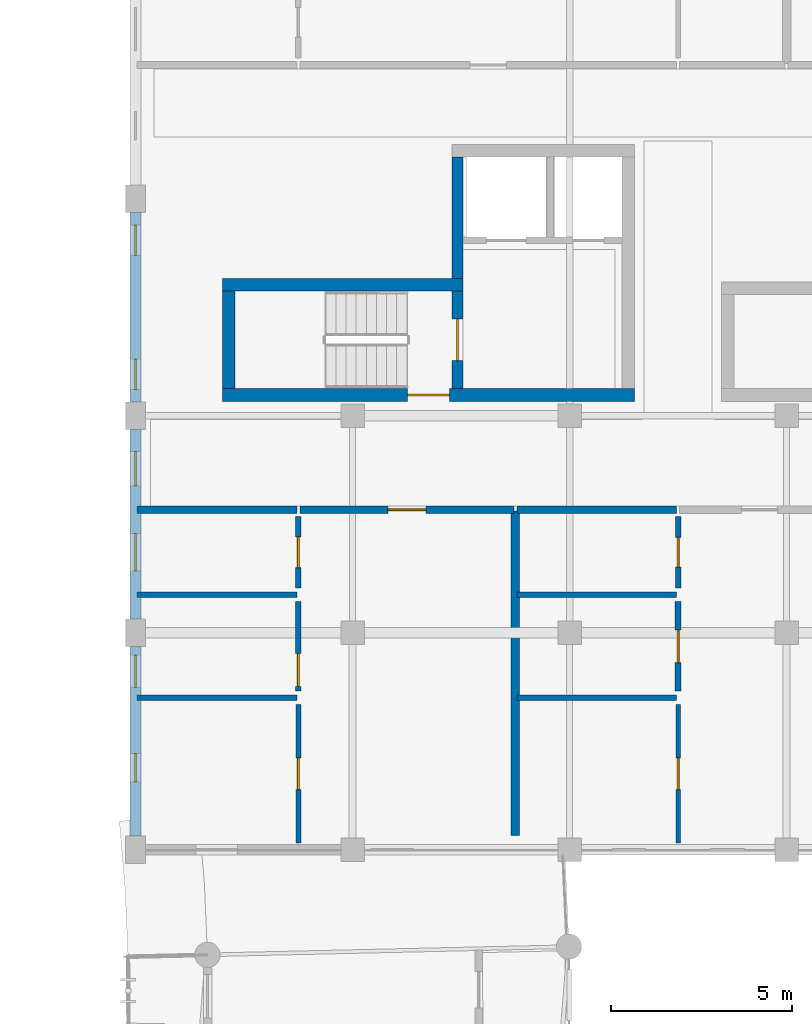
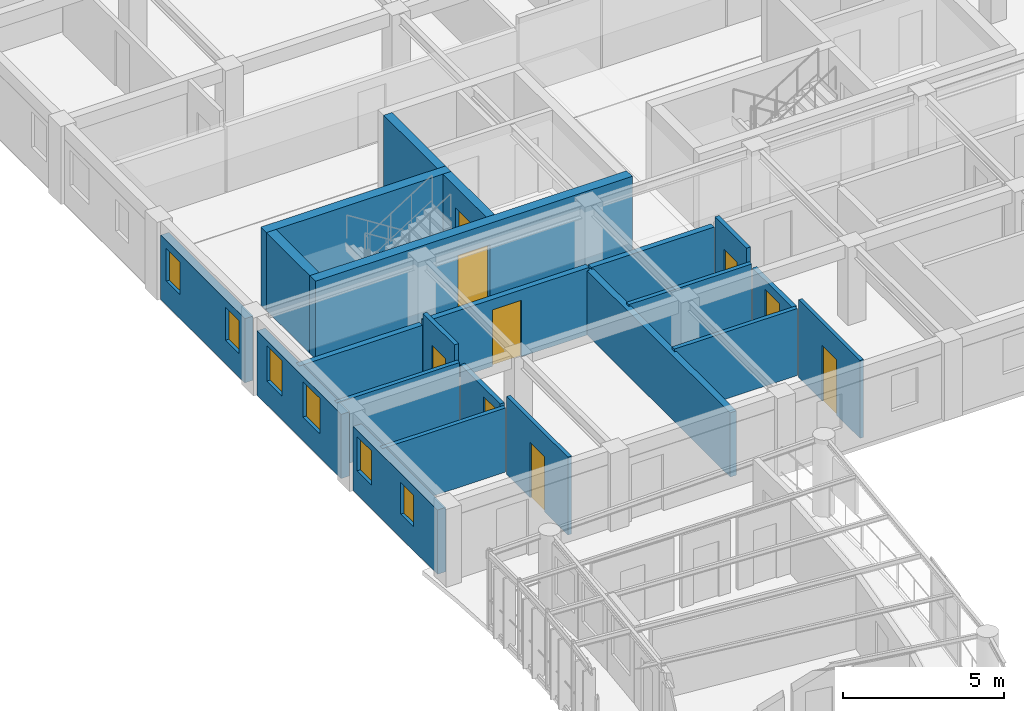
# One storey, part 68 of 100: 22 walls, 9 doors, 6 windows, 15 openings.
"""IFC4 building model written with IfcOpenShell, lengths in metres."""

from ifc_helpers import new_model, si_unit, direction, frame, frame_2d, origin, place, context, subcontext, project, spatial, rectangle, extrude, material, layer, layer_set, type_object, element, fill, save


model = new_model("IFC4")

# Units and contexts
model_context = context("Model", 3, precision=1e-05, world=origin(), true_north=direction((0.0, 1.0)))
body_context = subcontext(model_context, "Body", "Model", "MODEL_VIEW")
ifc_project = project(units=[si_unit("LENGTHUNIT", "METRE"), si_unit("AREAUNIT", "SQUARE_METRE"), si_unit("VOLUMEUNIT", "CUBIC_METRE"), si_unit("PLANEANGLEUNIT", "RADIAN"), si_unit("MASSUNIT", "GRAM", prefix="KILO"), si_unit("POWERUNIT", "WATT"), si_unit("THERMODYNAMICTEMPERATUREUNIT", "KELVIN")], contexts=[model_context])

# Site, building, storey
site_placement = place(None, origin())
site = spatial("IfcSite", under=ifc_project, at=site_placement, CompositionType="ELEMENT")
building_placement = place(site_placement, origin())
building = spatial("IfcBuilding", under=site, at=building_placement, Name="Ruvembo Vaulted Housing Court", CompositionType="ELEMENT")
storey_placement = place(building_placement, frame((0.0, 0.0, 10.89990234375)))
storey = spatial("IfcBuildingStorey", under=building, at=storey_placement, Name="L03", CompositionType="ELEMENT", Elevation=10.89990234375)

# Wall, opening, door
ifc_material_1 = material(Name="Concrete C35/45", Category="concrete")
ifc_layer_1 = layer(ifc_material_1, 0.300048828125, Name="Concrete C35/45")
ifc_layer_set_1 = layer_set([ifc_layer_1], Name="Concrete C35/45")
wall_type_1 = type_object("IfcWallType", Name="WL-CORE-300", PredefinedType="SHEAR", material=ifc_layer_set_1)
wall_1_placement = place(storey_placement, frame((56.89990234375, 90.75, 0.0), z_axis=(0.0, 0.0, 1.0), x_axis=(0.0, 1.0, 0.0)))
wall_1 = element("IfcWall", 1, at=wall_1_placement, inside=storey, type_object=wall_type_1, Name="Core B1 L03 Stair-Lobby Shear Wall", PredefinedType="SHEAR", context=body_context, shape_type="SweptSolid", body=[
    extrude(rectangle(XDim=2.699951171875, YDim=0.300048828125, at=frame_2d((1.35009765625, 0.0))), origin(), (0.0, 0.0, 1.0), 2.960205078125),
])
opening_1_placement = place(wall_1_placement, frame((0.77490234375, 0.0, 0.0)))
opening_1 = element("IfcOpeningElement", 2, at=opening_1_placement, cuts=wall_1, Name="Opening SD1", PredefinedType="OPENING", context=body_context, shape_type="SweptSolid", body=[
    extrude(rectangle(XDim=1.14990234375, YDim=2.14990234375, at=frame_2d((0.574951171875, 1.074951171875))), frame((0.0, 0.159912109375, 0.0), z_axis=(0.0, -1.0, 0.0), x_axis=(1.0, 0.0, 0.0)), (0.0, 0.0, 1.0), 0.320068359375),
])
ifc_material_2 = material(Name="Galvanised Painted Steel", Category="steel")
door_type_1 = type_object("IfcDoorType", Name="DR-STAIR-1150x2150", OperationType="NOTDEFINED", PredefinedType="DOOR", material=ifc_material_2)
door_1_placement = place(opening_1_placement, origin())
door_1 = element("IfcDoor", 3, at=door_1_placement, inside=storey, type_object=door_type_1, Name="Stair ST-B1 L03 Fire Door", OperationType="SINGLE_SWING_RIGHT", OverallHeight=2.14990234375, OverallWidth=1.14990234375, PredefinedType="DOOR", context=body_context, shape_type="SweptSolid", body=[
    extrude(rectangle(XDim=1.14990234375, YDim=2.14990234375, at=frame_2d((0.574951171875, 1.074951171875))), frame((0.0, 0.02490234375, 0.0), z_axis=(0.0, -1.0, 0.0), x_axis=(1.0, 0.0, 0.0)), (0.0, 0.0, 1.0), 0.050048828125),
])
fill(opening_1, door_1)

# Wall
wall_2_placement = place(storey_placement, frame((56.89990234375, 93.800048828125, 0.0), z_axis=(0.0, 0.0, 1.0), x_axis=(0.0, 1.0, 0.0)))
element("IfcWall", 4, at=wall_2_placement, inside=storey, type_object=wall_type_1, Name="Core B1 L03 Upper West Shear Wall", PredefinedType="SHEAR", context=body_context, shape_type="SweptSolid", body=[
    extrude(rectangle(XDim=3.349853515625, YDim=0.300048828125, at=frame_2d((1.6748046875, 0.0))), origin(), (0.0, 0.0, 1.0), 2.960205078125),
])

# Wall, opening, door
ifc_layer_2 = layer(ifc_material_1, 0.35009765625, Name="Concrete C35/45")
ifc_layer_set_2 = layer_set([ifc_layer_2], Name="Concrete C35/45")
wall_type_2 = type_object("IfcWallType", Name="WL-CORE-350", PredefinedType="SHEAR", material=ifc_layer_set_2)
wall_3_placement = place(storey_placement, frame((50.39990234375, 90.574951171875, 0.0), z_axis=(0.0, 0.0, 1.0), x_axis=(1.0, 0.0, 0.0)))
wall_3 = element("IfcWall", 5, at=wall_3_placement, inside=storey, type_object=wall_type_2, Name="Core B1 L03 South Shear Wall", PredefinedType="SHEAR", context=body_context, shape_type="SweptSolid", body=[
    extrude(rectangle(XDim=11.400146484375, YDim=0.35009765625, at=frame_2d((5.7001953125, 0.0))), origin(), (0.0, 0.0, 1.0), 2.960205078125),
])
opening_2_placement = place(wall_3_placement, frame((5.125, 0.0, 0.0)))
opening_2 = element("IfcOpeningElement", 6, at=opening_2_placement, cuts=wall_3, Name="Opening LD0", PredefinedType="OPENING", context=body_context, shape_type="SweptSolid", body=[
    extrude(rectangle(XDim=1.14990234375, YDim=2.14990234375, at=frame_2d((0.574951171875, 1.074951171875))), frame((0.0, 0.18505859375, 0.0), z_axis=(0.0, -1.0, 0.0), x_axis=(1.0, 0.0, 0.0)), (0.0, 0.0, 1.0), 0.3701171875),
])
door_type_2 = type_object("IfcDoorType", Name="DR-LOB-1150x2150", OperationType="NOTDEFINED", PredefinedType="DOOR", material=ifc_material_2)
door_2_placement = place(opening_2_placement, origin())
door_2 = element("IfcDoor", 7, at=door_2_placement, inside=storey, type_object=door_type_2, Name="Core B1 L03 Lobby Fire Door", OperationType="SINGLE_SWING_LEFT", OverallHeight=2.14990234375, OverallWidth=1.14990234375, PredefinedType="DOOR", context=body_context, shape_type="SweptSolid", body=[
    extrude(rectangle(XDim=1.14990234375, YDim=2.14990234375, at=frame_2d((0.574951171875, 1.074951171875))), frame((0.0, 0.02490234375, 0.0), z_axis=(0.0, -1.0, 0.0), x_axis=(1.0, 0.0, 0.0)), (0.0, 0.0, 1.0), 0.050048828125),
])
fill(opening_2, door_2)

# Walls
wall_4_placement = place(storey_placement, frame((57.050048828125, 93.625, 0.0), z_axis=(0.0, 0.0, 1.0), x_axis=(-1.0, 0.0, 0.0)))
element("IfcWall", 8, at=wall_4_placement, inside=storey, type_object=wall_type_2, Name="Core B1 L03 Stair North Shear Wall", PredefinedType="SHEAR", context=body_context, shape_type="SweptSolid", body=[
    extrude(rectangle(XDim=6.650146484375, YDim=0.35009765625, at=frame_2d((3.3251953125, 0.0))), origin(), (0.0, 0.0, 1.0), 2.960205078125),
])
wall_5_placement = place(storey_placement, frame((50.574951171875, 93.449951171875, 0.0), z_axis=(0.0, 0.0, 1.0), x_axis=(0.0, -1.0, 0.0)))
element("IfcWall", 9, at=wall_5_placement, inside=storey, type_object=wall_type_2, Name="Core B1 L03 Stair West Shear Wall", PredefinedType="SHEAR", context=body_context, shape_type="SweptSolid", body=[
    extrude(rectangle(XDim=2.699951171875, YDim=0.35009765625, at=frame_2d((1.35009765625, 0.0))), origin(), (0.0, 0.0, 1.0), 2.960205078125),
])
ifc_material_3 = material(Name="Concrete Blockwork 200", Category="masonry")
ifc_layer_3 = layer(ifc_material_3, 0.199951171875, Name="Concrete Blockwork 200")
ifc_layer_set_3 = layer_set([ifc_layer_3], Name="Concrete Blockwork 200")
wall_type_3 = type_object("IfcWallType", Name="WL-CORR-200", PredefinedType="SOLIDWALL", material=ifc_layer_set_3)
wall_6_placement = place(storey_placement, frame((48.0400390625, 87.39990234375, 0.0), z_axis=(0.0, 0.0, 1.0), x_axis=(1.0, 0.0, 0.0)))
element("IfcWall", 10, at=wall_6_placement, inside=storey, type_object=wall_type_3, Name="L03 Flat B-L03-S1 Corridor Wall WL-INT-L03-00826", PredefinedType="SOLIDWALL", context=body_context, shape_type="SweptSolid", body=[
    extrude(rectangle(XDim=4.419921875, YDim=0.199951171875, at=frame_2d((2.2099609375, 0.0))), origin(), (0.0, 0.0, 1.0), 2.442138671875),
])

# Wall, opening, door
wall_7_placement = place(storey_placement, frame((52.5400390625, 87.39990234375, 0.0), z_axis=(0.0, 0.0, 1.0), x_axis=(1.0, 0.0, 0.0)))
wall_7 = element("IfcWall", 11, at=wall_7_placement, inside=storey, type_object=wall_type_3, Name="L03 Flat B-L03-S1 Entrance WL-INT-L03-00827", PredefinedType="SOLIDWALL", context=body_context, shape_type="SweptSolid", body=[
    extrude(rectangle(XDim=5.919921875, YDim=0.199951171875, at=frame_2d((2.9599609375, 0.0))), origin(), (0.0, 0.0, 1.0), 2.548095703125),
])
opening_3_placement = place(wall_7_placement, frame((2.43505859375, 0.0, 0.0)))
opening_3 = element("IfcOpeningElement", 12, at=opening_3_placement, cuts=wall_7, Name="Opening FD3", PredefinedType="OPENING", context=body_context, shape_type="SweptSolid", body=[
    extrude(rectangle(XDim=1.050048828125, YDim=2.14990234375, at=frame_2d((0.52490234375, 1.074951171875))), frame((0.0, 0.10986328125, 0.0), z_axis=(0.0, -1.0, 0.0), x_axis=(1.0, 0.0, 0.0)), (0.0, 0.0, 1.0), 0.219970703125),
])
ifc_material_4 = material(Name="FSC Hardwood and Engineered Timber", Category="wood")
door_type_3 = type_object("IfcDoorType", Name="DR-FLAT-1050x2150", OperationType="NOTDEFINED", PredefinedType="DOOR", material=ifc_material_4)
door_3_placement = place(opening_3_placement, origin())
door_3 = element("IfcDoor", 13, at=door_3_placement, inside=storey, type_object=door_type_3, Name="L03 Flat B-L03-S1 Entrance Door DR-INT-L03-00458", OperationType="SINGLE_SWING_RIGHT", OverallHeight=2.14990234375, OverallWidth=1.050048828125, PredefinedType="DOOR", context=body_context, shape_type="SweptSolid", body=[
    extrude(rectangle(XDim=1.050048828125, YDim=2.14990234375, at=frame_2d((0.52490234375, 1.074951171875))), frame((0.0, 0.02490234375, 0.0), z_axis=(0.0, -1.0, 0.0), x_axis=(1.0, 0.0, 0.0)), (0.0, 0.0, 1.0), 0.050048828125),
])
fill(opening_3, door_3)

# Walls
wall_8_placement = place(storey_placement, frame((58.5400390625, 87.39990234375, 0.0), z_axis=(0.0, 0.0, 1.0), x_axis=(1.0, 0.0, 0.0)))
element("IfcWall", 14, at=wall_8_placement, inside=storey, type_object=wall_type_3, Name="L03 Flat B-L03-S2 Corridor Wall WL-INT-L03-00834", PredefinedType="SOLIDWALL", context=body_context, shape_type="SweptSolid", body=[
    extrude(rectangle(XDim=4.419921875, YDim=0.199951171875, at=frame_2d((2.2099609375, 0.0))), origin(), (0.0, 0.0, 1.0), 2.508056640625),
])
ifc_material_5 = material(Name="Acoustic Masonry Demising 230", Category="masonry")
ifc_layer_4 = layer(ifc_material_5, 0.22998046875, Name="Acoustic Masonry Demising 230")
ifc_layer_set_4 = layer_set([ifc_layer_4], Name="Acoustic Masonry Demising 230")
wall_type_4 = type_object("IfcWallType", Name="WL-DEM-230", PredefinedType="SOLIDWALL", material=ifc_layer_set_4)
wall_9_placement = place(storey_placement, frame((58.5, 78.389892578125, 0.0), z_axis=(0.0, 0.0, 1.0), x_axis=(0.0, 1.0, 0.0)))
element("IfcWall", 15, at=wall_9_placement, inside=storey, type_object=wall_type_4, Name="L03 Demising B-L03-S1 WL-INT-L03-00825", PredefinedType="SOLIDWALL", context=body_context, shape_type="SweptSolid", body=[
    extrude(rectangle(XDim=8.97021484375, YDim=0.22998046875, at=frame_2d((4.485107421875, 0.0))), origin(), (0.0, 0.0, 1.0), 2.442138671875),
])

# Wall, openings, windows
ifc_material_6 = material(Name="Rendered Masonry 300", Category="masonry")
ifc_layer_5 = layer(ifc_material_6, 0.300048828125, Name="Rendered Masonry 300")
ifc_layer_set_5 = layer_set([ifc_layer_5], Name="Rendered Masonry 300")
wall_type_5 = type_object("IfcWallType", Name="WL-EXT-300", PredefinedType="STANDARD", material=ifc_layer_set_5)
wall_10_placement = place(storey_placement, frame((48.0, 95.625, 0.0), z_axis=(0.0, 0.0, 1.0), x_axis=(0.0, -1.0, 0.0)))
wall_10 = element("IfcWall", 16, at=wall_10_placement, inside=storey, type_object=wall_type_5, Name="Block B L03 Exterior Wall WEST #4", PredefinedType="STANDARD", context=body_context, shape_type="SweptSolid", body=[
    extrude(rectangle(XDim=5.25, YDim=0.300048828125, at=frame_2d((2.625, 0.0))), origin(), (0.0, 0.0, 1.0), 2.442138671875),
])
opening_4_placement = place(wall_10_placement, frame((0.35009765625, 0.0, 0.89990234375)))
opening_4 = element("IfcOpeningElement", 17, at=opening_4_placement, cuts=wall_10, Name="Opening W03", PredefinedType="OPENING", context=body_context, shape_type="SweptSolid", body=[
    extrude(rectangle(XDim=0.85009765625, YDim=1.25, at=frame_2d((0.425048828125, 0.625))), frame((0.0, 0.159912109375, 0.0), z_axis=(0.0, -1.0, 0.0), x_axis=(1.0, 0.0, 0.0)), (0.0, 0.0, 1.0), 0.320068359375),
])
opening_5_placement = place(wall_10_placement, frame((4.050048828125, 0.0, 0.89990234375)))
opening_5 = element("IfcOpeningElement", 18, at=opening_5_placement, cuts=wall_10, Name="Opening W03", PredefinedType="OPENING", context=body_context, shape_type="SweptSolid", body=[
    extrude(rectangle(XDim=0.85009765625, YDim=1.25, at=frame_2d((0.425048828125, 0.625))), frame((0.0, 0.159912109375, 0.0), z_axis=(0.0, -1.0, 0.0), x_axis=(1.0, 0.0, 0.0)), (0.0, 0.0, 1.0), 0.320068359375),
])
ifc_material_7 = material(Name="Double Solar-Control Glazing in Aluminium Frame", Category="aluminium")
window_type_1 = type_object("IfcWindowType", Name="WIN-0850x1250", PartitioningType="SINGLE_PANEL", PredefinedType="WINDOW", material=ifc_material_7)
window_1_placement = place(opening_4_placement, origin())
window_1 = element("IfcWindow", 19, at=window_1_placement, inside=storey, type_object=window_type_1, Name="Block B L03 Window #763", OverallHeight=1.25, OverallWidth=0.85009765625, PartitioningType="SINGLE_PANEL", PredefinedType="WINDOW", context=body_context, shape_type="SweptSolid", body=[
    extrude(rectangle(XDim=0.85009765625, YDim=1.25, at=frame_2d((0.425048828125, 0.625))), frame((0.0, 0.030029296875, 0.0), z_axis=(0.0, -1.0, 0.0), x_axis=(1.0, 0.0, 0.0)), (0.0, 0.0, 1.0), 0.06005859375),
])
fill(opening_4, window_1)
window_2_placement = place(opening_5_placement, origin())
window_2 = element("IfcWindow", 20, at=window_2_placement, inside=storey, type_object=window_type_1, Name="Block B L03 Window #764", OverallHeight=1.25, OverallWidth=0.85009765625, PartitioningType="SINGLE_PANEL", PredefinedType="WINDOW", context=body_context, shape_type="SweptSolid", body=[
    extrude(rectangle(XDim=0.85009765625, YDim=1.25, at=frame_2d((0.425048828125, 0.625))), frame((0.0, 0.030029296875, 0.0), z_axis=(0.0, -1.0, 0.0), x_axis=(1.0, 0.0, 0.0)), (0.0, 0.0, 1.0), 0.06005859375),
])
fill(opening_5, window_2)

wall_11_placement = place(storey_placement, frame((48.0, 89.625, 0.0), z_axis=(0.0, 0.0, 1.0), x_axis=(0.0, -1.0, 0.0)))
wall_11 = element("IfcWall", 21, at=wall_11_placement, inside=storey, type_object=wall_type_5, Name="Block B L03 Exterior Wall WEST #5", PredefinedType="STANDARD", context=body_context, shape_type="SweptSolid", body=[
    extrude(rectangle(XDim=5.25, YDim=0.300048828125, at=frame_2d((2.625, 0.0))), origin(), (0.0, 0.0, 1.0), 2.442138671875),
])
opening_6_placement = place(wall_11_placement, frame((0.617431640625, 0.0, 0.89990234375)))
opening_6 = element("IfcOpeningElement", 22, at=opening_6_placement, cuts=wall_11, Name="Opening W07", PredefinedType="OPENING", context=body_context, shape_type="SweptSolid", body=[
    extrude(rectangle(XDim=0.949951171875, YDim=1.35009765625, at=frame_2d((0.47509765625, 0.675048828125))), frame((0.0, 0.159912109375, 0.0), z_axis=(0.0, -1.0, 0.0), x_axis=(1.0, 0.0, 0.0)), (0.0, 0.0, 1.0), 0.320068359375),
])
opening_7_placement = place(wall_11_placement, frame((2.875, 0.0, 0.89990234375)))
opening_7 = element("IfcOpeningElement", 23, at=opening_7_placement, cuts=wall_11, Name="Opening W09", PredefinedType="OPENING", context=body_context, shape_type="SweptSolid", body=[
    extrude(rectangle(XDim=1.050048828125, YDim=1.35009765625, at=frame_2d((0.52490234375, 0.675048828125))), frame((0.0, 0.159912109375, 0.0), z_axis=(0.0, -1.0, 0.0), x_axis=(1.0, 0.0, 0.0)), (0.0, 0.0, 1.0), 0.320068359375),
])
window_type_2 = type_object("IfcWindowType", Name="WIN-0950x1350", PartitioningType="SINGLE_PANEL", PredefinedType="WINDOW", material=ifc_material_7)
window_3_placement = place(opening_6_placement, origin())
window_3 = element("IfcWindow", 24, at=window_3_placement, inside=storey, type_object=window_type_2, Name="Block B L03 Window #765", OverallHeight=1.35009765625, OverallWidth=0.949951171875, PartitioningType="SINGLE_PANEL", PredefinedType="WINDOW", context=body_context, shape_type="SweptSolid", body=[
    extrude(rectangle(XDim=0.949951171875, YDim=1.35009765625, at=frame_2d((0.47509765625, 0.675048828125))), frame((0.0, 0.030029296875, 0.0), z_axis=(0.0, -1.0, 0.0), x_axis=(1.0, 0.0, 0.0)), (0.0, 0.0, 1.0), 0.06005859375),
])
fill(opening_6, window_3)
window_type_3 = type_object("IfcWindowType", Name="WIN-1050x1350", PartitioningType="SINGLE_PANEL", PredefinedType="WINDOW", material=ifc_material_7)
window_4_placement = place(opening_7_placement, origin())
window_4 = element("IfcWindow", 25, at=window_4_placement, inside=storey, type_object=window_type_3, Name="Block B L03 Window #766", OverallHeight=1.35009765625, OverallWidth=1.050048828125, PartitioningType="SINGLE_PANEL", PredefinedType="WINDOW", context=body_context, shape_type="SweptSolid", body=[
    extrude(rectangle(XDim=1.050048828125, YDim=1.35009765625, at=frame_2d((0.52490234375, 0.675048828125))), frame((0.0, 0.030029296875, 0.0), z_axis=(0.0, -1.0, 0.0), x_axis=(1.0, 0.0, 0.0)), (0.0, 0.0, 1.0), 0.06005859375),
])
fill(opening_7, window_4)

wall_12_placement = place(storey_placement, frame((48.0, 83.625, 0.0), z_axis=(0.0, 0.0, 1.0), x_axis=(0.0, -1.0, 0.0)))
wall_12 = element("IfcWall", 26, at=wall_12_placement, inside=storey, type_object=wall_type_5, Name="Block B L03 Exterior Wall WEST #6", PredefinedType="STANDARD", context=body_context, shape_type="SweptSolid", body=[
    extrude(rectangle(XDim=5.25, YDim=0.300048828125, at=frame_2d((2.625, 0.0))), origin(), (0.0, 0.0, 1.0), 2.442138671875),
])
opening_8_placement = place(wall_12_placement, frame((0.242431640625, 0.0, 0.89990234375)))
opening_8 = element("IfcOpeningElement", 27, at=opening_8_placement, cuts=wall_12, Name="Opening W04", PredefinedType="OPENING", context=body_context, shape_type="SweptSolid", body=[
    extrude(rectangle(XDim=0.89990234375, YDim=1.300048828125, at=frame_2d((0.449951171875, 0.64990234375))), frame((0.0, 0.159912109375, 0.0), z_axis=(0.0, -1.0, 0.0), x_axis=(1.0, 0.0, 0.0)), (0.0, 0.0, 1.0), 0.320068359375),
])
opening_9_placement = place(wall_12_placement, frame((2.95751953125, 0.0, 0.89990234375)))
opening_9 = element("IfcOpeningElement", 28, at=opening_9_placement, cuts=wall_12, Name="Opening W02", PredefinedType="OPENING", context=body_context, shape_type="SweptSolid", body=[
    extrude(rectangle(XDim=0.800048828125, YDim=1.199951171875, at=frame_2d((0.39990234375, 0.60009765625))), frame((0.0, 0.159912109375, 0.0), z_axis=(0.0, -1.0, 0.0), x_axis=(1.0, 0.0, 0.0)), (0.0, 0.0, 1.0), 0.320068359375),
])
window_type_4 = type_object("IfcWindowType", Name="WIN-0800x1200", PartitioningType="SINGLE_PANEL", PredefinedType="WINDOW", material=ifc_material_7)
window_5_placement = place(opening_9_placement, origin())
window_5 = element("IfcWindow", 29, at=window_5_placement, inside=storey, type_object=window_type_4, Name="Block B L03 Window #768", OverallHeight=1.199951171875, OverallWidth=0.800048828125, PartitioningType="SINGLE_PANEL", PredefinedType="WINDOW", context=body_context, shape_type="SweptSolid", body=[
    extrude(rectangle(XDim=0.800048828125, YDim=1.199951171875, at=frame_2d((0.39990234375, 0.60009765625))), frame((0.0, 0.030029296875, 0.0), z_axis=(0.0, -1.0, 0.0), x_axis=(1.0, 0.0, 0.0)), (0.0, 0.0, 1.0), 0.06005859375),
])
fill(opening_9, window_5)
window_type_5 = type_object("IfcWindowType", Name="WIN-0900x1300", PartitioningType="SINGLE_PANEL", PredefinedType="WINDOW", material=ifc_material_7)
window_6_placement = place(opening_8_placement, origin())
window_6 = element("IfcWindow", 30, at=window_6_placement, inside=storey, type_object=window_type_5, Name="Block B L03 Window #767", OverallHeight=1.300048828125, OverallWidth=0.89990234375, PartitioningType="SINGLE_PANEL", PredefinedType="WINDOW", context=body_context, shape_type="SweptSolid", body=[
    extrude(rectangle(XDim=0.89990234375, YDim=1.300048828125, at=frame_2d((0.449951171875, 0.64990234375))), frame((0.0, 0.030029296875, 0.0), z_axis=(0.0, -1.0, 0.0), x_axis=(1.0, 0.0, 0.0)), (0.0, 0.0, 1.0), 0.06005859375),
])
fill(opening_8, window_6)

# Wall, opening, door
ifc_material_8 = material(Name="Plasterboard Stud Partition 125", Category="gypsum")
ifc_layer_6 = layer(ifc_material_8, 0.125, Name="Plasterboard Stud Partition 125")
ifc_layer_set_6 = layer_set([ifc_layer_6], Name="Plasterboard Stud Partition 125")
wall_type_6 = type_object("IfcWallType", Name="WL-PART-125", PredefinedType="PARTITIONING", material=ifc_layer_set_6)
wall_13_placement = place(storey_placement, frame((63.0, 78.18994140625, 0.0), z_axis=(0.0, 0.0, 1.0), x_axis=(0.0, 1.0, 0.0)))
wall_13 = element("IfcWall", 31, at=wall_13_placement, inside=storey, type_object=wall_type_6, Name="L03 Flat B-L03-S2 Bedroom 1 WL-INT-L03-00836", PredefinedType="PARTITIONING", context=body_context, shape_type="SweptSolid", body=[
    extrude(rectangle(XDim=3.820068359375, YDim=0.125, at=frame_2d((1.91015625, 0.0))), origin(), (0.0, 0.0, 1.0), 2.960205078125),
])
opening_10_placement = place(wall_13_placement, frame((1.469970703125, 0.0, 0.0)))
opening_10 = element("IfcOpeningElement", 32, at=opening_10_placement, cuts=wall_13, Name="Opening ID3", PredefinedType="OPENING", context=body_context, shape_type="SweptSolid", body=[
    extrude(rectangle(XDim=0.8798828125, YDim=2.10009765625, at=frame_2d((0.43994140625, 1.050048828125))), frame((0.0, 0.072509765625, 0.0), z_axis=(0.0, -1.0, 0.0), x_axis=(1.0, 0.0, 0.0)), (0.0, 0.0, 1.0), 0.14501953125),
])
door_type_4 = type_object("IfcDoorType", Name="DR-ROOM-0880x2100", OperationType="NOTDEFINED", PredefinedType="DOOR", material=ifc_material_4)
door_4_placement = place(opening_10_placement, origin())
door_4 = element("IfcDoor", 33, at=door_4_placement, inside=storey, type_object=door_type_4, Name="L03 Flat B-L03-S2 Bedroom 1 Door DR-INT-L03-00463", OperationType="SINGLE_SWING_LEFT", OverallHeight=2.10009765625, OverallWidth=0.8798828125, PredefinedType="DOOR", context=body_context, shape_type="SweptSolid", body=[
    extrude(rectangle(XDim=0.8798828125, YDim=2.10009765625, at=frame_2d((0.43994140625, 1.050048828125))), frame((0.0, 0.02490234375, 0.0), z_axis=(0.0, -1.0, 0.0), x_axis=(1.0, 0.0, 0.0)), (0.0, 0.0, 1.0), 0.050048828125),
])
fill(opening_10, door_4)

ifc_material_9 = material(Name="Acoustic Stud Partition 135", Category="gypsum")
ifc_layer_7 = layer(ifc_material_9, 0.135009765625, Name="Acoustic Stud Partition 135")
ifc_layer_set_7 = layer_set([ifc_layer_7], Name="Acoustic Stud Partition 135")
wall_type_7 = type_object("IfcWallType", Name="WL-PART-135", PredefinedType="PARTITIONING", material=ifc_layer_set_7)
wall_14_placement = place(storey_placement, frame((52.5, 78.18994140625, 0.0), z_axis=(0.0, 0.0, 1.0), x_axis=(0.0, 1.0, 0.0)))
wall_14 = element("IfcWall", 34, at=wall_14_placement, inside=storey, type_object=wall_type_7, Name="L03 Flat B-L03-S1 Bedroom 1 WL-INT-L03-00828", PredefinedType="PARTITIONING", context=body_context, shape_type="SweptSolid", body=[
    extrude(rectangle(XDim=3.820068359375, YDim=0.135009765625, at=frame_2d((1.91015625, 0.0))), origin(), (0.0, 0.0, 1.0), 2.960205078125),
])
opening_11_placement = place(wall_14_placement, frame((1.469970703125, 0.0, 0.0)))
opening_11 = element("IfcOpeningElement", 35, at=opening_11_placement, cuts=wall_14, Name="Opening ID3", PredefinedType="OPENING", context=body_context, shape_type="SweptSolid", body=[
    extrude(rectangle(XDim=0.8798828125, YDim=2.10009765625, at=frame_2d((0.43994140625, 1.050048828125))), frame((0.0, 0.077392578125, 0.0), z_axis=(0.0, -1.0, 0.0), x_axis=(1.0, 0.0, 0.0)), (0.0, 0.0, 1.0), 0.155029296875),
])
door_5_placement = place(opening_11_placement, origin())
door_5 = element("IfcDoor", 36, at=door_5_placement, inside=storey, type_object=door_type_4, Name="L03 Flat B-L03-S1 Bedroom 1 Door DR-INT-L03-00459", OperationType="SINGLE_SWING_LEFT", OverallHeight=2.10009765625, OverallWidth=0.8798828125, PredefinedType="DOOR", context=body_context, shape_type="SweptSolid", body=[
    extrude(rectangle(XDim=0.8798828125, YDim=2.10009765625, at=frame_2d((0.43994140625, 1.050048828125))), frame((0.0, 0.02490234375, 0.0), z_axis=(0.0, -1.0, 0.0), x_axis=(1.0, 0.0, 0.0)), (0.0, 0.0, 1.0), 0.050048828125),
])
fill(opening_11, door_5)

ifc_material_10 = material(Name="Moisture-Resistant Wet Partition 150", Category="gypsum")
ifc_layer_8 = layer(ifc_material_10, 0.14990234375, Name="Moisture-Resistant Wet Partition 150")
ifc_layer_set_8 = layer_set([ifc_layer_8], Name="Moisture-Resistant Wet Partition 150")
wall_type_8 = type_object("IfcWallType", Name="WL-PART-150", PredefinedType="PARTITIONING", material=ifc_layer_set_8)
wall_15_placement = place(storey_placement, frame((52.5, 85.239990234375, 0.0), z_axis=(0.0, 0.0, 1.0), x_axis=(0.0, 1.0, 0.0)))
wall_15 = element("IfcWall", 37, at=wall_15_placement, inside=storey, type_object=wall_type_8, Name="L03 Flat B-L03-S1 Bathroom WL-INT-L03-00830", PredefinedType="PARTITIONING", context=body_context, shape_type="SweptSolid", body=[
    extrude(rectangle(XDim=1.969970703125, YDim=0.14990234375, at=frame_2d((0.98486328125, 0.0))), origin(), (0.0, 0.0, 1.0), 2.960205078125),
])
opening_12_placement = place(wall_15_placement, frame((0.56005859375, 0.0, 0.0)))
opening_12 = element("IfcOpeningElement", 38, at=opening_12_placement, cuts=wall_15, Name="Opening ID2", PredefinedType="OPENING", context=body_context, shape_type="SweptSolid", body=[
    extrude(rectangle(XDim=0.85009765625, YDim=2.10009765625, at=frame_2d((0.425048828125, 1.050048828125))), frame((0.0, 0.0849609375, 0.0), z_axis=(0.0, -1.0, 0.0), x_axis=(1.0, 0.0, 0.0)), (0.0, 0.0, 1.0), 0.169921875),
])
door_type_5 = type_object("IfcDoorType", Name="DR-WET-0850x2100", OperationType="NOTDEFINED", PredefinedType="DOOR", material=ifc_material_4)
door_6_placement = place(opening_12_placement, origin())
door_6 = element("IfcDoor", 39, at=door_6_placement, inside=storey, type_object=door_type_5, Name="L03 Flat B-L03-S1 Bathroom Door DR-INT-L03-00461", OperationType="SINGLE_SWING_LEFT", OverallHeight=2.10009765625, OverallWidth=0.85009765625, PredefinedType="DOOR", context=body_context, shape_type="SweptSolid", body=[
    extrude(rectangle(XDim=0.85009765625, YDim=2.10009765625, at=frame_2d((0.425048828125, 1.050048828125))), frame((0.0, 0.02490234375, 0.0), z_axis=(0.0, -1.0, 0.0), x_axis=(1.0, 0.0, 0.0)), (0.0, 0.0, 1.0), 0.050048828125),
])
fill(opening_12, door_6)

# Walls
for number, where, z_axis, x_axis, name in (
    (40, (48.0400390625, 82.199951171875, 0.0), (0.0, 0.0, 1.0), (1.0, 0.0, 0.0), "L03 Flat B-L03-S1 Wet Wall 1 WL-INT-L03-00831"),
    (41, (48.0400390625, 85.050048828125, 0.0), (0.0, 0.0, 1.0), (1.0, 0.0, 0.0), "L03 Flat B-L03-S1 Wet Wall 2 WL-INT-L03-00832"),
):
    element("IfcWall", number, at=place(storey_placement, frame(where, z_axis=z_axis, x_axis=x_axis)), inside=storey, type_object=wall_type_8, Name=name, PredefinedType="PARTITIONING", context=body_context, shape_type="SweptSolid", body=[
        extrude(rectangle(XDim=4.419921875, YDim=0.14990234375, at=frame_2d((2.2099609375, 0.0))), origin(), (0.0, 0.0, 1.0), 2.442138671875),
    ])

# Wall, opening, door
wall_16_placement = place(storey_placement, frame((63.0, 85.239990234375, 0.0), z_axis=(0.0, 0.0, 1.0), x_axis=(0.0, 1.0, 0.0)))
wall_16 = element("IfcWall", 42, at=wall_16_placement, inside=storey, type_object=wall_type_8, Name="L03 Flat B-L03-S2 Bathroom WL-INT-L03-00838", PredefinedType="PARTITIONING", context=body_context, shape_type="SweptSolid", body=[
    extrude(rectangle(XDim=1.969970703125, YDim=0.14990234375, at=frame_2d((0.98486328125, 0.0))), origin(), (0.0, 0.0, 1.0), 2.960205078125),
])
opening_13_placement = place(wall_16_placement, frame((0.574951171875, 0.0, 0.0)))
opening_13 = element("IfcOpeningElement", 43, at=opening_13_placement, cuts=wall_16, Name="Opening ID4", PredefinedType="OPENING", context=body_context, shape_type="SweptSolid", body=[
    extrude(rectangle(XDim=0.820068359375, YDim=2.080078125, at=frame_2d((0.41015625, 1.0400390625))), frame((0.0, 0.0849609375, 0.0), z_axis=(0.0, -1.0, 0.0), x_axis=(1.0, 0.0, 0.0)), (0.0, 0.0, 1.0), 0.169921875),
])
door_type_6 = type_object("IfcDoorType", Name="DR-WET-0820x2080", OperationType="NOTDEFINED", PredefinedType="DOOR", material=ifc_material_4)
door_7_placement = place(opening_13_placement, origin())
door_7 = element("IfcDoor", 44, at=door_7_placement, inside=storey, type_object=door_type_6, Name="L03 Flat B-L03-S2 Bathroom Door DR-INT-L03-00465", OperationType="SINGLE_SWING_LEFT", OverallHeight=2.080078125, OverallWidth=0.820068359375, PredefinedType="DOOR", context=body_context, shape_type="SweptSolid", body=[
    extrude(rectangle(XDim=0.820068359375, YDim=2.080078125, at=frame_2d((0.41015625, 1.0400390625))), frame((0.0, 0.02490234375, 0.0), z_axis=(0.0, -1.0, 0.0), x_axis=(1.0, 0.0, 0.0)), (0.0, 0.0, 1.0), 0.050048828125),
])
fill(opening_13, door_7)

# Walls
wall_17_placement = place(storey_placement, frame((58.5400390625, 82.199951171875, 0.0), z_axis=(0.0, 0.0, 1.0), x_axis=(1.0, 0.0, 0.0)))
element("IfcWall", 45, at=wall_17_placement, inside=storey, type_object=wall_type_8, Name="L03 Flat B-L03-S2 Wet Wall 1 WL-INT-L03-00839", PredefinedType="PARTITIONING", context=body_context, shape_type="SweptSolid", body=[
    extrude(rectangle(XDim=4.419921875, YDim=0.14990234375, at=frame_2d((2.2099609375, 0.0))), origin(), (0.0, 0.0, 1.0), 2.548095703125),
])
wall_18_placement = place(storey_placement, frame((58.5400390625, 85.050048828125, 0.0), z_axis=(0.0, 0.0, 1.0), x_axis=(1.0, 0.0, 0.0)))
element("IfcWall", 46, at=wall_18_placement, inside=storey, type_object=wall_type_8, Name="L03 Flat B-L03-S2 Wet Wall 2 WL-INT-L03-00840", PredefinedType="PARTITIONING", context=body_context, shape_type="SweptSolid", body=[
    extrude(rectangle(XDim=4.419921875, YDim=0.14990234375, at=frame_2d((2.2099609375, 0.0))), origin(), (0.0, 0.0, 1.0), 2.508056640625),
])

# Wall, opening, door
ifc_material_11 = material(Name="Acoustic Service Chase Wall 160", Category="gypsum")
ifc_layer_9 = layer(ifc_material_11, 0.159912109375, Name="Acoustic Service Chase Wall 160")
ifc_layer_set_9 = layer_set([ifc_layer_9], Name="Acoustic Service Chase Wall 160")
wall_type_9 = type_object("IfcWallType", Name="WL-PLUMB-160", PredefinedType="PLUMBINGWALL", material=ifc_layer_set_9)
wall_19_placement = place(storey_placement, frame((52.5, 82.389892578125, 0.0), z_axis=(0.0, 0.0, 1.0), x_axis=(0.0, 1.0, 0.0)))
wall_19 = element("IfcWall", 47, at=wall_19_placement, inside=storey, type_object=wall_type_9, Name="L03 Flat B-L03-S1 Kitchen WL-INT-L03-00829", PredefinedType="PLUMBINGWALL", context=body_context, shape_type="SweptSolid", body=[
    extrude(rectangle(XDim=2.47021484375, YDim=0.159912109375, at=frame_2d((1.235107421875, 0.0))), origin(), (0.0, 0.0, 1.0), 2.442138671875),
])
opening_14_placement = place(wall_19_placement, frame((0.1298828125, 0.0, 0.0)))
opening_14 = element("IfcOpeningElement", 48, at=opening_14_placement, cuts=wall_19, Name="Opening ID1", PredefinedType="OPENING", context=body_context, shape_type="SweptSolid", body=[
    extrude(rectangle(XDim=0.89990234375, YDim=2.10009765625, at=frame_2d((0.449951171875, 1.050048828125))), frame((0.0, 0.08984375, 0.0), z_axis=(0.0, -1.0, 0.0), x_axis=(1.0, 0.0, 0.0)), (0.0, 0.0, 1.0), 0.179931640625),
])
door_type_7 = type_object("IfcDoorType", Name="DR-ROOM-0900x2100", OperationType="NOTDEFINED", PredefinedType="DOOR", material=ifc_material_4)
door_8_placement = place(opening_14_placement, origin())
door_8 = element("IfcDoor", 49, at=door_8_placement, inside=storey, type_object=door_type_7, Name="L03 Flat B-L03-S1 Kitchen Door DR-INT-L03-00460", OperationType="SINGLE_SWING_RIGHT", OverallHeight=2.10009765625, OverallWidth=0.89990234375, PredefinedType="DOOR", context=body_context, shape_type="SweptSolid", body=[
    extrude(rectangle(XDim=0.89990234375, YDim=2.10009765625, at=frame_2d((0.449951171875, 1.050048828125))), frame((0.0, 0.02490234375, 0.0), z_axis=(0.0, -1.0, 0.0), x_axis=(1.0, 0.0, 0.0)), (0.0, 0.0, 1.0), 0.050048828125),
])
fill(opening_14, door_8)

wall_20_placement = place(storey_placement, frame((63.0, 82.389892578125, 0.0), z_axis=(0.0, 0.0, 1.0), x_axis=(0.0, 1.0, 0.0)))
wall_20 = element("IfcWall", 50, at=wall_20_placement, inside=storey, type_object=wall_type_9, Name="L03 Flat B-L03-S2 Kitchen WL-INT-L03-00837", PredefinedType="PLUMBINGWALL", context=body_context, shape_type="SweptSolid", body=[
    extrude(rectangle(XDim=2.47021484375, YDim=0.159912109375, at=frame_2d((1.235107421875, 0.0))), origin(), (0.0, 0.0, 1.0), 2.442138671875),
])
opening_15_placement = place(wall_20_placement, frame((0.784912109375, 0.0, 0.0)))
opening_15 = element("IfcOpeningElement", 51, at=opening_15_placement, cuts=wall_20, Name="Opening ID1", PredefinedType="OPENING", context=body_context, shape_type="SweptSolid", body=[
    extrude(rectangle(XDim=0.89990234375, YDim=2.10009765625, at=frame_2d((0.449951171875, 1.050048828125))), frame((0.0, 0.08984375, 0.0), z_axis=(0.0, -1.0, 0.0), x_axis=(1.0, 0.0, 0.0)), (0.0, 0.0, 1.0), 0.179931640625),
])
door_9_placement = place(opening_15_placement, origin())
door_9 = element("IfcDoor", 52, at=door_9_placement, inside=storey, type_object=door_type_7, Name="L03 Flat B-L03-S2 Kitchen Door DR-INT-L03-00464", OperationType="SINGLE_SWING_RIGHT", OverallHeight=2.10009765625, OverallWidth=0.89990234375, PredefinedType="DOOR", context=body_context, shape_type="SweptSolid", body=[
    extrude(rectangle(XDim=0.89990234375, YDim=2.10009765625, at=frame_2d((0.449951171875, 1.050048828125))), frame((0.0, 0.02490234375, 0.0), z_axis=(0.0, -1.0, 0.0), x_axis=(1.0, 0.0, 0.0)), (0.0, 0.0, 1.0), 0.050048828125),
])
fill(opening_15, door_9)

save(model, "model.ifc")
